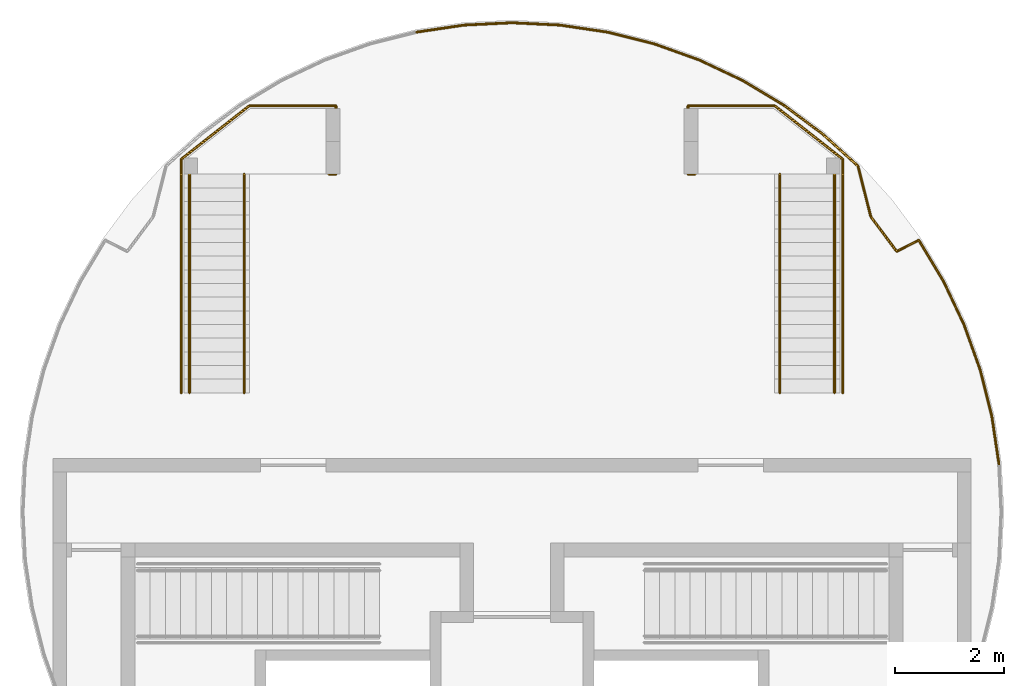
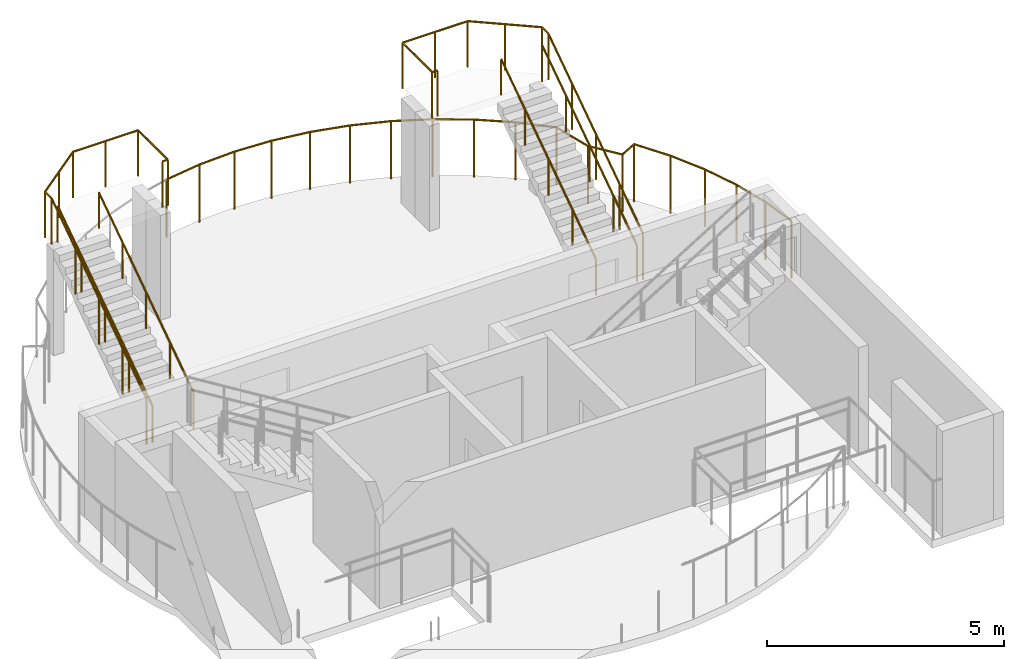
# One storey, part 4 of 4: 9 railings.
"""IFC4 building model written with IfcOpenShell, lengths in metres."""

from ifc_helpers import new_model, si_unit, direction, frame, origin, origin_2d, place, context, subcontext, project, spatial, circle, extrude, material, type_object, element, save


model = new_model("IFC4")

# Units and contexts
model_context = context("Model", 3, precision=1e-05, world=origin(), true_north=direction((0.0, 1.0)))
body_context = subcontext(model_context, "Body", "Model", "MODEL_VIEW")
ifc_project = project(units=[si_unit("LENGTHUNIT", "METRE"), si_unit("AREAUNIT", "SQUARE_METRE"), si_unit("VOLUMEUNIT", "CUBIC_METRE"), si_unit("PLANEANGLEUNIT", "RADIAN"), si_unit("MASSUNIT", "GRAM", prefix="KILO")], contexts=[model_context])

# Site, building, storey
site_placement = place(None, origin())
site = spatial("IfcSite", under=ifc_project, at=site_placement, CompositionType="ELEMENT")
building_placement = place(site_placement, origin())
building = spatial("IfcBuilding", under=site, at=building_placement, Name="Fogline Exchange Tower", CompositionType="ELEMENT")
storey_placement = place(building_placement, frame((0.0, 0.0, 369.199951171875)))
storey = spatial("IfcBuildingStorey", under=building, at=storey_placement, Name="RF-2", CompositionType="ELEMENT", Elevation=369.199951171875)

# Railings
ifc_material = material(Name="Stainless steel 304", Category="steel")
railing_type_1 = type_object("IfcRailingType", Name="G1", PredefinedType="GUARDRAIL", material=ifc_material)
railing_1_placement = place(storey_placement, frame((-6.050048828125, 13.14990234375, 0.170654296875)))
element("IfcRailing", 1, at=railing_1_placement, inside=storey, type_object=railing_type_1, Name="Pad stair guard HS3", PredefinedType="GUARDRAIL", context=body_context, shape_type="SweptSolid", body=[
    extrude(circle(Radius=0.02392578125, at=origin_2d()), frame((0.0, 0.0, 1.17578125), z_axis=(0.0, 0.826013958217, 0.56364966143), x_axis=(-1.0, 0.0, 0.0)), (0.0, 0.0, 1.0), 4.842529296875),
    extrude(circle(Radius=0.02099609375, at=origin_2d()), origin(), (0.0, 0.0, 1.0), 1.15185546875),
    extrude(circle(Radius=0.02099609375, at=origin_2d()), frame((0.0, 1.0, 0.682373046875)), (0.0, 0.0, 1.0), 1.15185546875),
    extrude(circle(Radius=0.02099609375, at=origin_2d()), frame((0.0, 2.0, 1.36474609375)), (0.0, 0.0, 1.0), 1.15185546875),
    extrude(circle(Radius=0.02099609375, at=origin_2d()), frame((0.0, 3.0, 2.047119140625)), (0.0, 0.0, 1.0), 1.15185546875),
    extrude(circle(Radius=0.02099609375, at=origin_2d()), frame((0.0, 4.0, 2.7294921875)), (0.0, 0.0, 1.0), 1.15185546875),
])
railing_2_placement = place(storey_placement, frame((-3.35009765625, 17.14990234375, 2.900146484375)))
element("IfcRailing", 2, at=railing_2_placement, inside=storey, type_object=railing_type_1, Name="Pad stair landing guard HS3", PredefinedType="GUARDRAIL", context=body_context, shape_type="SweptSolid", body=[
    extrude(circle(Radius=0.02392578125, at=origin_2d()), frame((0.0, 0.0, 1.17578125), z_axis=(1.0, 0.0, 0.0), x_axis=(0.0, 1.0, 0.0)), (0.0, 0.0, 1.0), 0.130126953125),
    extrude(circle(Radius=0.02392578125, at=origin_2d()), frame((0.130126953125, 0.0, 1.17578125), z_axis=(0.0, 1.0, 0.0), x_axis=(-1.0, 0.0, 0.0)), (0.0, 0.0, 1.0), 1.25),
    extrude(circle(Radius=0.02392578125, at=origin_2d()), frame((0.130126953125, 1.25, 1.17578125), z_axis=(-1.0, 0.0, 0.0), x_axis=(0.0, -1.0, 0.0)), (0.0, 0.0, 1.0), 1.58740234375),
    extrude(circle(Radius=0.02392578125, at=origin_2d()), frame((-1.457275390625, 1.25, 1.17578125), z_axis=(-0.786564941452, -0.617507565038, 0.0), x_axis=(0.617507565038, -0.786564941452, 0.0)), (0.0, 0.0, 1.0), 1.579833984375),
    extrude(circle(Radius=0.02392578125, at=origin_2d()), frame((-2.699951171875, 0.2744140625, 1.17578125), z_axis=(0.0, -1.0, 0.0), x_axis=(1.0, 0.0, 0.0)), (0.0, 0.0, 1.0), 0.2744140625),
    extrude(circle(Radius=0.02099609375, at=origin_2d()), origin(), (0.0, 0.0, 1.0), 1.15185546875),
    extrude(circle(Radius=0.02099609375, at=origin_2d()), frame((0.130126953125, 0.0, 0.0)), (0.0, 0.0, 1.0), 1.15185546875),
    extrude(circle(Radius=0.02099609375, at=origin_2d()), frame((0.130126953125, 1.25, 0.0)), (0.0, 0.0, 1.0), 1.15185546875),
    extrude(circle(Radius=0.02099609375, at=origin_2d()), frame((-0.66357421875, 1.25, 0.0)), (0.0, 0.0, 1.0), 1.15185546875),
    extrude(circle(Radius=0.02099609375, at=origin_2d()), frame((-1.457275390625, 1.25, 0.0)), (0.0, 0.0, 1.0), 1.15185546875),
    extrude(circle(Radius=0.02099609375, at=origin_2d()), frame((-2.07861328125, 0.76220703125, 0.0)), (0.0, 0.0, 1.0), 1.15185546875),
    extrude(circle(Radius=0.02099609375, at=origin_2d()), frame((-2.699951171875, 0.2744140625, 0.0)), (0.0, 0.0, 1.0), 1.15185546875),
    extrude(circle(Radius=0.02099609375, at=origin_2d()), frame((-2.699951171875, 0.0, 0.0)), (0.0, 0.0, 1.0), 1.15185546875),
])
railing_3_placement = place(storey_placement, frame((6.050048828125, 13.14990234375, 0.170654296875)))
element("IfcRailing", 3, at=railing_3_placement, inside=storey, type_object=railing_type_1, Name="Pad stair guard HS4", PredefinedType="GUARDRAIL", context=body_context, shape_type="SweptSolid", body=[
    extrude(circle(Radius=0.02392578125, at=origin_2d()), frame((0.0, 0.0, 1.17578125), z_axis=(0.0, 0.826013958217, 0.56364966143), x_axis=(-1.0, 0.0, 0.0)), (0.0, 0.0, 1.0), 4.842529296875),
    extrude(circle(Radius=0.02099609375, at=origin_2d()), origin(), (0.0, 0.0, 1.0), 1.15185546875),
    extrude(circle(Radius=0.02099609375, at=origin_2d()), frame((0.0, 1.0, 0.682373046875)), (0.0, 0.0, 1.0), 1.15185546875),
    extrude(circle(Radius=0.02099609375, at=origin_2d()), frame((0.0, 2.0, 1.36474609375)), (0.0, 0.0, 1.0), 1.15185546875),
    extrude(circle(Radius=0.02099609375, at=origin_2d()), frame((0.0, 3.0, 2.047119140625)), (0.0, 0.0, 1.0), 1.15185546875),
    extrude(circle(Radius=0.02099609375, at=origin_2d()), frame((0.0, 4.0, 2.7294921875)), (0.0, 0.0, 1.0), 1.15185546875),
])
railing_4_placement = place(storey_placement, frame((3.35009765625, 17.14990234375, 2.900146484375)))
element("IfcRailing", 4, at=railing_4_placement, inside=storey, type_object=railing_type_1, Name="Pad stair landing guard HS4", PredefinedType="GUARDRAIL", context=body_context, shape_type="SweptSolid", body=[
    extrude(circle(Radius=0.02392578125, at=origin_2d()), frame((0.0, 0.0, 1.17578125), z_axis=(-1.0, 0.0, 0.0), x_axis=(0.0, -1.0, 0.0)), (0.0, 0.0, 1.0), 0.130126953125),
    extrude(circle(Radius=0.02392578125, at=origin_2d()), frame((-0.130126953125, 0.0, 1.17578125), z_axis=(0.0, 1.0, 0.0), x_axis=(-1.0, 0.0, 0.0)), (0.0, 0.0, 1.0), 1.25),
    extrude(circle(Radius=0.02392578125, at=origin_2d()), frame((-0.130126953125, 1.25, 1.17578125), z_axis=(1.0, 0.0, 0.0), x_axis=(0.0, 1.0, 0.0)), (0.0, 0.0, 1.0), 1.58740234375),
    extrude(circle(Radius=0.02392578125, at=origin_2d()), frame((1.457275390625, 1.25, 1.17578125), z_axis=(0.786564941452, -0.617507565038, 0.0), x_axis=(0.617507565038, 0.786564941452, 0.0)), (0.0, 0.0, 1.0), 1.579833984375),
    extrude(circle(Radius=0.02392578125, at=origin_2d()), frame((2.699951171875, 0.2744140625, 1.17578125), z_axis=(0.0, -1.0, 0.0), x_axis=(1.0, 0.0, 0.0)), (0.0, 0.0, 1.0), 0.2744140625),
    extrude(circle(Radius=0.02099609375, at=origin_2d()), origin(), (0.0, 0.0, 1.0), 1.15185546875),
    extrude(circle(Radius=0.02099609375, at=origin_2d()), frame((-0.130126953125, 0.0, 0.0)), (0.0, 0.0, 1.0), 1.15185546875),
    extrude(circle(Radius=0.02099609375, at=origin_2d()), frame((-0.130126953125, 1.25, 0.0)), (0.0, 0.0, 1.0), 1.15185546875),
    extrude(circle(Radius=0.02099609375, at=origin_2d()), frame((0.66357421875, 1.25, 0.0)), (0.0, 0.0, 1.0), 1.15185546875),
    extrude(circle(Radius=0.02099609375, at=origin_2d()), frame((1.457275390625, 1.25, 0.0)), (0.0, 0.0, 1.0), 1.15185546875),
    extrude(circle(Radius=0.02099609375, at=origin_2d()), frame((2.07861328125, 0.76220703125, 0.0)), (0.0, 0.0, 1.0), 1.15185546875),
    extrude(circle(Radius=0.02099609375, at=origin_2d()), frame((2.699951171875, 0.2744140625, 0.0)), (0.0, 0.0, 1.0), 1.15185546875),
    extrude(circle(Radius=0.02099609375, at=origin_2d()), frame((2.699951171875, 0.0, 0.0)), (0.0, 0.0, 1.0), 1.15185546875),
])
railing_type_2 = type_object("IfcRailingType", Name="G2", PredefinedType="GUARDRAIL", material=ifc_material)
railing_5_placement = place(storey_placement, frame((-1.74609375, 19.748046875, 0.0)))
element("IfcRailing", 5, at=railing_5_placement, inside=storey, type_object=railing_type_2, Name="Helipad safety net guard", PredefinedType="GUARDRAIL", context=body_context, shape_type="SweptSolid", body=[
    extrude(circle(Radius=0.02392578125, at=origin_2d()), frame((0.0, 0.0, 1.47607421875), z_axis=(0.989173596382, 0.146750114889, 0.0), x_axis=(-0.146750114889, 0.989173596382, 0.0)), (0.0, 0.0, 1.0), 0.87841796875),
    extrude(circle(Radius=0.02392578125, at=origin_2d()), frame((0.868896484375, 0.12890625, 1.47607421875), z_axis=(0.998802431913, 0.048925473982, 0.0), x_axis=(-0.048925473982, 0.998802431913, 0.0)), (0.0, 0.0, 1.0), 0.878173828125),
    extrude(circle(Radius=0.02392578125, at=origin_2d()), frame((1.74609375, 0.171875, 1.47607421875), z_axis=(0.998802431913, -0.048925473982, 0.0), x_axis=(0.048925473982, 0.998802431913, 0.0)), (0.0, 0.0, 1.0), 0.878173828125),
    extrude(circle(Radius=0.02392578125, at=origin_2d()), frame((2.623291015625, 0.12890625, 1.47607421875), z_axis=(0.989173596382, -0.146750114889, 0.0), x_axis=(0.146750114889, 0.989173596382, 0.0)), (0.0, 0.0, 1.0), 0.87841796875),
    extrude(circle(Radius=0.02392578125, at=origin_2d()), frame((3.4921875, 0.0, 1.47607421875), z_axis=(0.970044320906, -0.24292800472, 0.0), x_axis=(0.24292800472, 0.970044320906, 0.0)), (0.0, 0.0, 1.0), 0.87841796875),
    extrude(circle(Radius=0.02392578125, at=origin_2d()), frame((4.34423828125, -0.21337890625, 1.47607421875), z_axis=(0.941534187155, -0.336917459354, 0.0), x_axis=(0.336917459354, 0.941534187155, 0.0)), (0.0, 0.0, 1.0), 0.878173828125),
    extrude(circle(Radius=0.02392578125, at=origin_2d()), frame((5.171142578125, -0.50927734375, 1.47607421875), z_axis=(0.903998044178, -0.427536590389, 0.0), x_axis=(0.427536590389, 0.903998044178, 0.0)), (0.0, 0.0, 1.0), 0.878173828125),
    extrude(circle(Radius=0.02392578125, at=origin_2d()), frame((5.965087890625, -0.884765625, 1.47607421875), z_axis=(0.857689048584, -0.51416874267, 0.0), x_axis=(0.51416874267, 0.857689048584, 0.0)), (0.0, 0.0, 1.0), 0.87841796875),
    extrude(circle(Radius=0.02392578125, at=origin_2d()), frame((6.718505859375, -1.33642578125, 1.47607421875), z_axis=(0.803158103208, -0.595765945024, 0.0), x_axis=(0.595765945024, 0.803158103208, 0.0)), (0.0, 0.0, 1.0), 0.878173828125),
    extrude(circle(Radius=0.02392578125, at=origin_2d()), frame((7.423828125, -1.859619140625, 1.47607421875), z_axis=(0.740995595173, -0.671509886699, 0.0), x_axis=(0.671509886699, 0.740995595173, 0.0)), (0.0, 0.0, 1.0), 0.87841796875),
    extrude(circle(Radius=0.02392578125, at=origin_2d()), frame((8.07470703125, -2.449462890625, 1.47607421875), z_axis=(0.245594789477, -0.969372580271, 0.0), x_axis=(0.969372580271, 0.245594789477, 0.0)), (0.0, 0.0, 1.0), 0.957275390625),
    extrude(circle(Radius=0.02392578125, at=origin_2d()), frame((8.309814453125, -3.37744140625, 1.47607421875), z_axis=(0.598862821399, -0.800851622428, 0.0), x_axis=(0.800851622428, 0.598862821399, 0.0)), (0.0, 0.0, 1.0), 0.79052734375),
    extrude(circle(Radius=0.02392578125, at=origin_2d()), frame((8.783203125, -4.010498046875, 1.47607421875), z_axis=(0.892154411471, 0.451730568029, 0.0), x_axis=(-0.451730568029, 0.892154411471, 0.0)), (0.0, 0.0, 1.0), 0.453369140625),
    extrude(circle(Radius=0.02392578125, at=origin_2d()), frame((9.187744140625, -3.8056640625, 1.47607421875), z_axis=(0.51416874267, -0.857689048584, 0.0), x_axis=(0.857689048584, 0.51416874267, 0.0)), (0.0, 0.0, 1.0), 0.87841796875),
    extrude(circle(Radius=0.02392578125, at=origin_2d()), frame((9.639404296875, -4.55908203125, 1.47607421875), z_axis=(0.427536590389, -0.903998044178, 0.0), x_axis=(0.903998044178, 0.427536590389, 0.0)), (0.0, 0.0, 1.0), 0.878173828125),
    extrude(circle(Radius=0.02392578125, at=origin_2d()), frame((10.014892578125, -5.35302734375, 1.47607421875), z_axis=(0.336917459354, -0.941534187155, 0.0), x_axis=(0.941534187155, 0.336917459354, 0.0)), (0.0, 0.0, 1.0), 0.878173828125),
    extrude(circle(Radius=0.02392578125, at=origin_2d()), frame((10.310791015625, -6.179931640625, 1.47607421875), z_axis=(0.24292800472, -0.970044320906, 0.0), x_axis=(0.970044320906, 0.24292800472, 0.0)), (0.0, 0.0, 1.0), 0.87841796875),
    extrude(circle(Radius=0.02392578125, at=origin_2d()), frame((10.524169921875, -7.031982421875, 1.47607421875), z_axis=(0.146790471398, -0.989167608399, 0.0), x_axis=(0.989167608399, 0.146790471398, 0.0)), (0.0, 0.0, 1.0), 0.878173828125),
    extrude(circle(Radius=0.02099609375, at=origin_2d()), origin(), (0.0, 0.0, 1.0), 1.451904296875),
    extrude(circle(Radius=0.02099609375, at=origin_2d()), frame((0.868896484375, 0.12890625, 0.0)), (0.0, 0.0, 1.0), 1.451904296875),
    extrude(circle(Radius=0.02099609375, at=origin_2d()), frame((1.74609375, 0.171875, 0.0)), (0.0, 0.0, 1.0), 1.451904296875),
    extrude(circle(Radius=0.02099609375, at=origin_2d()), frame((2.623291015625, 0.12890625, 0.0)), (0.0, 0.0, 1.0), 1.451904296875),
    extrude(circle(Radius=0.02099609375, at=origin_2d()), frame((3.4921875, 0.0, 0.0)), (0.0, 0.0, 1.0), 1.451904296875),
    extrude(circle(Radius=0.02099609375, at=origin_2d()), frame((4.34423828125, -0.21337890625, 0.0)), (0.0, 0.0, 1.0), 1.451904296875),
    extrude(circle(Radius=0.02099609375, at=origin_2d()), frame((5.171142578125, -0.50927734375, 0.0)), (0.0, 0.0, 1.0), 1.451904296875),
    extrude(circle(Radius=0.02099609375, at=origin_2d()), frame((5.965087890625, -0.884765625, 0.0)), (0.0, 0.0, 1.0), 1.451904296875),
    extrude(circle(Radius=0.02099609375, at=origin_2d()), frame((6.718505859375, -1.33642578125, 0.0)), (0.0, 0.0, 1.0), 1.451904296875),
    extrude(circle(Radius=0.02099609375, at=origin_2d()), frame((7.423828125, -1.859619140625, 0.0)), (0.0, 0.0, 1.0), 1.451904296875),
    extrude(circle(Radius=0.02099609375, at=origin_2d()), frame((8.07470703125, -2.449462890625, 0.0)), (0.0, 0.0, 1.0), 1.451904296875),
    extrude(circle(Radius=0.02099609375, at=origin_2d()), frame((8.309814453125, -3.37744140625, 0.0)), (0.0, 0.0, 1.0), 1.451904296875),
    extrude(circle(Radius=0.02099609375, at=origin_2d()), frame((8.783203125, -4.010498046875, 0.0)), (0.0, 0.0, 1.0), 1.451904296875),
    extrude(circle(Radius=0.02099609375, at=origin_2d()), frame((9.187744140625, -3.8056640625, 0.0)), (0.0, 0.0, 1.0), 1.451904296875),
    extrude(circle(Radius=0.02099609375, at=origin_2d()), frame((9.639404296875, -4.55908203125, 0.0)), (0.0, 0.0, 1.0), 1.451904296875),
    extrude(circle(Radius=0.02099609375, at=origin_2d()), frame((10.014892578125, -5.35302734375, 0.0)), (0.0, 0.0, 1.0), 1.451904296875),
    extrude(circle(Radius=0.02099609375, at=origin_2d()), frame((10.310791015625, -6.179931640625, 0.0)), (0.0, 0.0, 1.0), 1.451904296875),
    extrude(circle(Radius=0.02099609375, at=origin_2d()), frame((10.524169921875, -7.031982421875, 0.0)), (0.0, 0.0, 1.0), 1.451904296875),
    extrude(circle(Radius=0.02099609375, at=origin_2d()), frame((10.653076171875, -7.900634765625, 0.0)), (0.0, 0.0, 1.0), 1.451904296875),
])
railing_type_3 = type_object("IfcRailingType", Name="G3", PredefinedType="HANDRAIL", material=ifc_material)
for number, where, name in (
    (6, (-4.89990234375, 13.14990234375, 0.170654296875), "Pad stair handrail HS3"),
    (7, (-5.89990234375, 13.14990234375, 0.170654296875), "Pad stair handrail HS3"),
    (8, (4.89990234375, 13.14990234375, 0.170654296875), "Pad stair handrail HS4"),
    (9, (5.89990234375, 13.14990234375, 0.170654296875), "Pad stair handrail HS4"),
):
    element("IfcRailing", number, at=place(storey_placement, frame(where)), inside=storey, type_object=railing_type_3, Name=name, PredefinedType="HANDRAIL", context=body_context, shape_type="SweptSolid", body=[
        extrude(circle(Radius=0.02392578125, at=origin_2d()), frame((0.0, 0.0, 0.92578125), z_axis=(0.0, 0.826013958217, 0.56364966143), x_axis=(-1.0, 0.0, 0.0)), (0.0, 0.0, 1.0), 4.842529296875),
        extrude(circle(Radius=0.02099609375, at=origin_2d()), origin(), (0.0, 0.0, 1.0), 0.90185546875),
        extrude(circle(Radius=0.02099609375, at=origin_2d()), frame((0.0, 1.0, 0.682373046875)), (0.0, 0.0, 1.0), 0.90185546875),
        extrude(circle(Radius=0.02099609375, at=origin_2d()), frame((0.0, 2.0, 1.36474609375)), (0.0, 0.0, 1.0), 0.90185546875),
        extrude(circle(Radius=0.02099609375, at=origin_2d()), frame((0.0, 3.0, 2.047119140625)), (0.0, 0.0, 1.0), 0.90185546875),
        extrude(circle(Radius=0.02099609375, at=origin_2d()), frame((0.0, 4.0, 2.7294921875)), (0.0, 0.0, 1.0), 0.90185546875),
    ])

save(model, "model.ifc")
